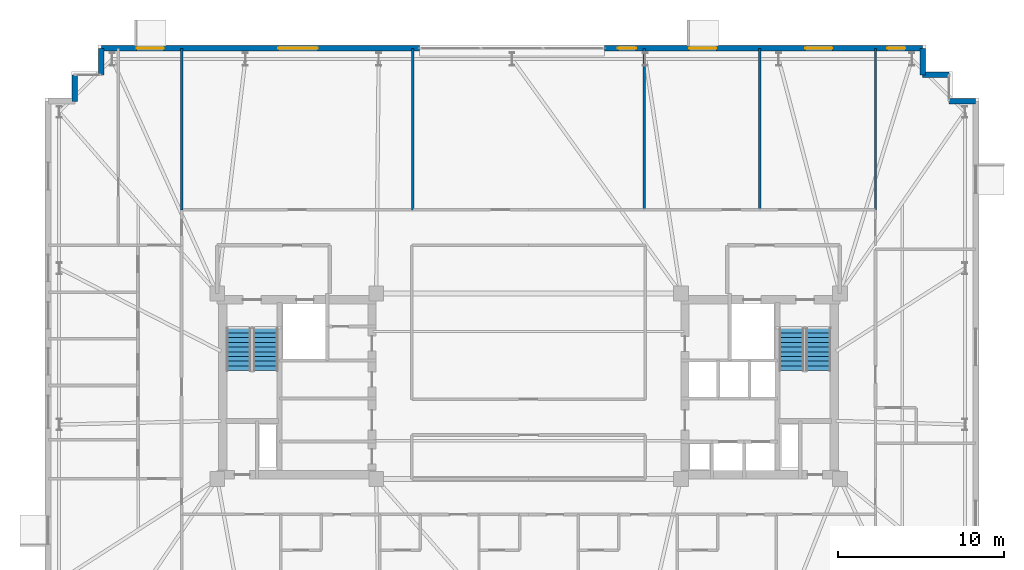
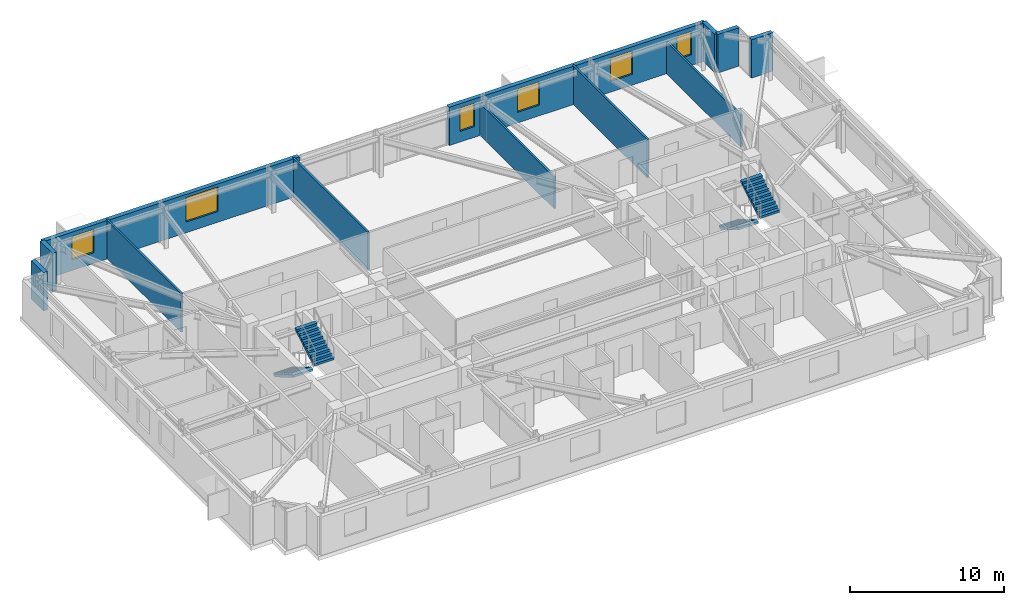
# One storey, part 16 of 18: 12 walls, 6 windows, 4 stair flights, 6 openings, 2 elements without a shape of their own.
"""IFC4 building model written with IfcOpenShell, lengths in metres."""

from ifc_helpers import new_model, si_unit, direction, frame, frame_2d, origin, place, context, subcontext, project, spatial, polyline, rectangle, outline, extrude, material, layer, layer_set, type_object, element, fill, aggregate, save


model = new_model("IFC4")

# Units and contexts
model_context = context("Model", 3, precision=1e-05, world=origin(), true_north=direction((0.0, 1.0)))
body_context = subcontext(model_context, "Body", "Model", "MODEL_VIEW")
ifc_project = project(units=[si_unit("LENGTHUNIT", "METRE"), si_unit("AREAUNIT", "SQUARE_METRE"), si_unit("VOLUMEUNIT", "CUBIC_METRE"), si_unit("PLANEANGLEUNIT", "RADIAN"), si_unit("MASSUNIT", "GRAM", prefix="KILO")], contexts=[model_context])

# Site, building, storey
site_placement = place(None, origin())
site = spatial("IfcSite", under=ifc_project, at=site_placement, CompositionType="ELEMENT")
building_placement = place(site_placement, origin())
building = spatial("IfcBuilding", under=site, at=building_placement, Name="Qobustan Lattice House", CompositionType="ELEMENT")
storey_placement = place(building_placement, frame((0.0, 0.0, 147.75)))
storey = spatial("IfcBuildingStorey", under=building, at=storey_placement, Name="L41", CompositionType="ELEMENT", Elevation=147.75)

# Walls
ifc_material_1 = material(Name="Precast concrete C40/50", Category="concrete")
ifc_layer_1 = layer(ifc_material_1, 0.320068359375)
ifc_layer_set_1 = layer_set([ifc_layer_1], Name="Precast concrete C40/50")
wall_type_1 = type_object("IfcWallType", Name="WAL-EXT-STONE-320", PredefinedType="SOLIDWALL", material=ifc_layer_set_1)
wall_1_placement = place(storey_placement, frame((-27.39990234375, 17.199951171875, 0.0), z_axis=(0.0, 0.0, 1.0), x_axis=(0.0, 1.0, 0.0)))
element("IfcWall", 1, at=wall_1_placement, inside=storey, type_object=wall_type_1, Name="L41 exterior limestone-clad wall 7", PredefinedType="SOLIDWALL", context=body_context, shape_type="SweptSolid", body=[
    extrude(rectangle(XDim=1.60009765625, YDim=0.320068359375, at=frame_2d((0.800048828125, 0.0))), origin(), (0.0, 0.0, 1.0), 3.0400390625),
])
wall_2_placement = place(storey_placement, frame((-25.800048828125, 18.800048828125, 0.0), z_axis=(0.0, 0.0, 1.0), x_axis=(0.0, 1.0, 0.0)))
element("IfcWall", 2, at=wall_2_placement, inside=storey, type_object=wall_type_1, Name="L41 exterior limestone-clad wall 9", PredefinedType="SOLIDWALL", context=body_context, shape_type="SweptSolid", body=[
    extrude(rectangle(XDim=1.599853515625, YDim=0.320068359375, at=frame_2d((0.7998046875, 0.0))), origin(), (0.0, 0.0, 1.0), 3.0400390625),
])

# Wall, openings, windows
wall_3_placement = place(storey_placement, frame((-25.800048828125, 20.39990234375, 0.0), z_axis=(0.0, 0.0, 1.0), x_axis=(1.0, 0.0, 0.0)))
wall_3 = element("IfcWall", 3, at=wall_3_placement, inside=storey, type_object=wall_type_1, Name="L41 iwan flank stone wall A", PredefinedType="SOLIDWALL", context=body_context, shape_type="SweptSolid", body=[
    extrude(rectangle(XDim=19.199951171875, YDim=0.320068359375, at=frame_2d((9.60009765625, 0.0))), origin(), (0.0, 0.0, 1.0), 3.0400390625),
])
opening_1_placement = place(wall_3_placement, frame((2.135009765625, 0.0, 0.85009765625)))
opening_1 = element("IfcOpeningElement", 4, at=opening_1_placement, cuts=wall_3, Name="Opening WN-09", PredefinedType="OPENING", context=body_context, shape_type="SweptSolid", body=[
    extrude(rectangle(XDim=1.64990234375, YDim=1.85009765625, at=frame_2d((0.824951171875, 0.925048828125))), frame((0.0, 0.169921875, 0.0), z_axis=(0.0, -1.0, 0.0), x_axis=(1.0, 0.0, 0.0)), (0.0, 0.0, 1.0), 0.340087890625),
])
opening_2_placement = place(wall_3_placement, frame((10.679931640625, 0.0, 0.85009765625)))
opening_2 = element("IfcOpeningElement", 5, at=opening_2_placement, cuts=wall_3, Name="Opening WN-10", PredefinedType="OPENING", context=body_context, shape_type="SweptSolid", body=[
    extrude(rectangle(XDim=2.39990234375, YDim=1.949951171875, at=frame_2d((1.199951171875, 0.97509765625))), frame((0.0, 0.169921875, 0.0), z_axis=(0.0, -1.0, 0.0), x_axis=(1.0, 0.0, 0.0)), (0.0, 0.0, 1.0), 0.340087890625),
])
ifc_material_2 = material(Name="Double-glazed low-E aluminium window", Category="aluminium")
window_type_1 = type_object("IfcWindowType", Name="WIN-LNG-2400x1950", PartitioningType="SINGLE_PANEL", PredefinedType="WINDOW", material=ifc_material_2)
window_1_placement = place(opening_2_placement, origin())
window_1 = element("IfcWindow", 6, at=window_1_placement, inside=storey, type_object=window_type_1, Name="L41 Walnut iwan sky lounge N1 window", OverallHeight=1.949951171875, OverallWidth=2.39990234375, PartitioningType="SINGLE_PANEL", PredefinedType="WINDOW", context=body_context, shape_type="SweptSolid", body=[
    extrude(rectangle(XDim=2.39990234375, YDim=1.949951171875, at=frame_2d((1.199951171875, 0.97509765625))), frame((0.0, 0.030029296875, 0.0), z_axis=(0.0, -1.0, 0.0), x_axis=(1.0, 0.0, 0.0)), (0.0, 0.0, 1.0), 0.06005859375),
])
fill(opening_2, window_1)
ifc_material_3 = material(Name="Double-glazed low-E aluminium window", Category="aluminium")
window_type_2 = type_object("IfcWindowType", Name="WIN-STU-1650x1850", PartitioningType="SINGLE_PANEL", PredefinedType="WINDOW", material=ifc_material_3)
window_2_placement = place(opening_1_placement, origin())
window_2 = element("IfcWindow", 7, at=window_2_placement, inside=storey, type_object=window_type_2, Name="L41 Reading seminar room L41WN window", OverallHeight=1.85009765625, OverallWidth=1.64990234375, PartitioningType="SINGLE_PANEL", PredefinedType="WINDOW", context=body_context, shape_type="SweptSolid", body=[
    extrude(rectangle(XDim=1.64990234375, YDim=1.85009765625, at=frame_2d((0.824951171875, 0.925048828125))), frame((0.0, 0.030029296875, 0.0), z_axis=(0.0, -1.0, 0.0), x_axis=(1.0, 0.0, 0.0)), (0.0, 0.0, 1.0), 0.06005859375),
])
fill(opening_1, window_2)

wall_4_placement = place(storey_placement, frame((4.60009765625, 20.39990234375, 0.0), z_axis=(0.0, 0.0, 1.0), x_axis=(1.0, 0.0, 0.0)))
wall_4 = element("IfcWall", 8, at=wall_4_placement, inside=storey, type_object=wall_type_1, Name="L41 iwan flank stone wall B", PredefinedType="SOLIDWALL", context=body_context, shape_type="SweptSolid", body=[
    extrude(rectangle(XDim=19.199951171875, YDim=0.320068359375, at=frame_2d((9.60009765625, 0.0))), origin(), (0.0, 0.0, 1.0), 3.0400390625),
])
opening_3_placement = place(wall_4_placement, frame((0.800048828125, 0.0, 0.85009765625)))
opening_3 = element("IfcOpeningElement", 9, at=opening_3_placement, cuts=wall_4, Name="Opening WN-04", PredefinedType="OPENING", context=body_context, shape_type="SweptSolid", body=[
    extrude(rectangle(XDim=1.10009765625, YDim=1.85009765625, at=frame_2d((0.550048828125, 0.925048828125))), frame((0.0, 0.169921875, 0.0), z_axis=(0.0, -1.0, 0.0), x_axis=(1.0, 0.0, 0.0)), (0.0, 0.0, 1.0), 0.340087890625),
])
opening_4_placement = place(wall_4_placement, frame((5.094970703125, 0.0, 0.85009765625)))
opening_4 = element("IfcOpeningElement", 10, at=opening_4_placement, cuts=wall_4, Name="Opening WN-09", PredefinedType="OPENING", context=body_context, shape_type="SweptSolid", body=[
    extrude(rectangle(XDim=1.64990234375, YDim=1.85009765625, at=frame_2d((0.824951171875, 0.925048828125))), frame((0.0, 0.169921875, 0.0), z_axis=(0.0, -1.0, 0.0), x_axis=(1.0, 0.0, 0.0)), (0.0, 0.0, 1.0), 0.340087890625),
])
opening_5_placement = place(wall_4_placement, frame((12.094970703125, 0.0, 0.85009765625)))
opening_5 = element("IfcOpeningElement", 11, at=opening_5_placement, cuts=wall_4, Name="Opening WN-09", PredefinedType="OPENING", context=body_context, shape_type="SweptSolid", body=[
    extrude(rectangle(XDim=1.64990234375, YDim=1.85009765625, at=frame_2d((0.824951171875, 0.925048828125))), frame((0.0, 0.169921875, 0.0), z_axis=(0.0, -1.0, 0.0), x_axis=(1.0, 0.0, 0.0)), (0.0, 0.0, 1.0), 0.340087890625),
])
opening_6_placement = place(wall_4_placement, frame((17.050048828125, 0.0, 0.85009765625)))
opening_6 = element("IfcOpeningElement", 12, at=opening_6_placement, cuts=wall_4, Name="Opening WN-04", PredefinedType="OPENING", context=body_context, shape_type="SweptSolid", body=[
    extrude(rectangle(XDim=1.10009765625, YDim=1.85009765625, at=frame_2d((0.550048828125, 0.925048828125))), frame((0.0, 0.169921875, 0.0), z_axis=(0.0, -1.0, 0.0), x_axis=(1.0, 0.0, 0.0)), (0.0, 0.0, 1.0), 0.340087890625),
])
ifc_material_4 = material(Name="Double-glazed low-E aluminium window", Category="aluminium")
window_type_3 = type_object("IfcWindowType", Name="WIN-NAR-1100x1850", PartitioningType="SINGLE_PANEL", PredefinedType="WINDOW", material=ifc_material_4)
window_3_placement = place(opening_3_placement, origin())
window_3 = element("IfcWindow", 13, at=window_3_placement, inside=storey, type_object=window_type_3, Name="L41 Walnut iwan sky lounge N2 window", OverallHeight=1.85009765625, OverallWidth=1.10009765625, PartitioningType="SINGLE_PANEL", PredefinedType="WINDOW", context=body_context, shape_type="SweptSolid", body=[
    extrude(rectangle(XDim=1.10009765625, YDim=1.85009765625, at=frame_2d((0.550048828125, 0.925048828125))), frame((0.0, 0.030029296875, 0.0), z_axis=(0.0, -1.0, 0.0), x_axis=(1.0, 0.0, 0.0)), (0.0, 0.0, 1.0), 0.06005859375),
])
fill(opening_3, window_3)
window_4_placement = place(opening_6_placement, origin())
window_4 = element("IfcWindow", 14, at=window_4_placement, inside=storey, type_object=window_type_3, Name="L41 Focus study room E3 window", OverallHeight=1.85009765625, OverallWidth=1.10009765625, PartitioningType="SINGLE_PANEL", PredefinedType="WINDOW", context=body_context, shape_type="SweptSolid", body=[
    extrude(rectangle(XDim=1.10009765625, YDim=1.85009765625, at=frame_2d((0.550048828125, 0.925048828125))), frame((0.0, 0.030029296875, 0.0), z_axis=(0.0, -1.0, 0.0), x_axis=(1.0, 0.0, 0.0)), (0.0, 0.0, 1.0), 0.06005859375),
])
fill(opening_6, window_4)
window_5_placement = place(opening_4_placement, origin())
window_5 = element("IfcWindow", 15, at=window_5_placement, inside=storey, type_object=window_type_2, Name="L41 Focus study room N3A window", OverallHeight=1.85009765625, OverallWidth=1.64990234375, PartitioningType="SINGLE_PANEL", PredefinedType="WINDOW", context=body_context, shape_type="SweptSolid", body=[
    extrude(rectangle(XDim=1.64990234375, YDim=1.85009765625, at=frame_2d((0.824951171875, 0.925048828125))), frame((0.0, 0.030029296875, 0.0), z_axis=(0.0, -1.0, 0.0), x_axis=(1.0, 0.0, 0.0)), (0.0, 0.0, 1.0), 0.06005859375),
])
fill(opening_4, window_5)
window_6_placement = place(opening_5_placement, origin())
window_6 = element("IfcWindow", 16, at=window_6_placement, inside=storey, type_object=window_type_2, Name="L41 Focus study room N3B window", OverallHeight=1.85009765625, OverallWidth=1.64990234375, PartitioningType="SINGLE_PANEL", PredefinedType="WINDOW", context=body_context, shape_type="SweptSolid", body=[
    extrude(rectangle(XDim=1.64990234375, YDim=1.85009765625, at=frame_2d((0.824951171875, 0.925048828125))), frame((0.0, 0.030029296875, 0.0), z_axis=(0.0, -1.0, 0.0), x_axis=(1.0, 0.0, 0.0)), (0.0, 0.0, 1.0), 0.06005859375),
])
fill(opening_5, window_6)

# Walls
for number, where, z_axis, x_axis, name in (
    (17, (23.800048828125, 20.39990234375, 0.0), (0.0, 0.0, 1.0), (0.0, -1.0, 0.0), "L41 exterior limestone-clad wall 11"),
    (18, (23.800048828125, 18.800048828125, 0.0), (0.0, 0.0, 1.0), (1.0, 0.0, 0.0), "L41 exterior limestone-clad wall 12"),
):
    element("IfcWall", number, at=place(storey_placement, frame(where, z_axis=z_axis, x_axis=x_axis)), inside=storey, type_object=wall_type_1, Name=name, PredefinedType="SOLIDWALL", context=body_context, shape_type="SweptSolid", body=[
        extrude(rectangle(XDim=1.599853515625, YDim=0.320068359375, at=frame_2d((0.7998046875, 0.0))), origin(), (0.0, 0.0, 1.0), 3.0400390625),
    ])
wall_5_placement = place(storey_placement, frame((25.39990234375, 17.199951171875, 0.0), z_axis=(0.0, 0.0, 1.0), x_axis=(1.0, 0.0, 0.0)))
element("IfcWall", 19, at=wall_5_placement, inside=storey, type_object=wall_type_1, Name="L41 exterior limestone-clad wall 14", PredefinedType="SOLIDWALL", context=body_context, shape_type="SweptSolid", body=[
    extrude(rectangle(XDim=1.60009765625, YDim=0.320068359375, at=frame_2d((0.800048828125, 0.0))), origin(), (0.0, 0.0, 1.0), 3.0400390625),
])
ifc_material_5 = material(Name="Acoustic twin-stud gypsum partition", Category="gypsum")
ifc_layer_2 = layer(ifc_material_5, 0.14990234375)
ifc_layer_set_2 = layer_set([ifc_layer_2], Name="Acoustic twin-stud gypsum partition")
wall_type_2 = type_object("IfcWallType", Name="WAL-PART-150", PredefinedType="PARTITIONING", material=ifc_layer_set_2)
wall_6_placement = place(storey_placement, frame((-20.949951171875, 20.39990234375, 0.0), z_axis=(0.0, 0.0, 1.0), x_axis=(0.0, -1.0, 0.0)))
element("IfcWall", 20, at=wall_6_placement, inside=storey, type_object=wall_type_2, Name="L41 interior partition 77", PredefinedType="PARTITIONING", context=body_context, shape_type="SweptSolid", body=[
    extrude(rectangle(XDim=9.75, YDim=0.14990234375, at=frame_2d((4.875, 0.0))), origin(), (0.0, 0.0, 1.0), 3.0400390625),
])
wall_7_placement = place(storey_placement, frame((20.949951171875, 10.64990234375, 0.0), z_axis=(0.0, 0.0, 1.0), x_axis=(0.0, 1.0, 0.0)))
element("IfcWall", 21, at=wall_7_placement, inside=storey, type_object=wall_type_2, Name="L41 interior partition 91", PredefinedType="PARTITIONING", context=body_context, shape_type="SweptSolid", body=[
    extrude(rectangle(XDim=9.75, YDim=0.14990234375, at=frame_2d((4.875, 0.0))), origin(), (0.0, 0.0, 1.0), 2.52490234375),
])
wall_8_placement = place(storey_placement, frame((-6.98291015625, 20.39990234375, 0.0), z_axis=(0.0, 0.0, 1.0), x_axis=(0.0, -1.0, 0.0)))
element("IfcWall", 22, at=wall_8_placement, inside=storey, type_object=wall_type_2, Name="L41 interior partition 92", PredefinedType="PARTITIONING", context=body_context, shape_type="SweptSolid", body=[
    extrude(rectangle(XDim=9.75, YDim=0.14990234375, at=frame_2d((4.875, 0.0))), origin(), (0.0, 0.0, 1.0), 3.0400390625),
])
wall_9_placement = place(storey_placement, frame((6.98291015625, 20.39990234375, 0.0), z_axis=(0.0, 0.0, 1.0), x_axis=(0.0, -1.0, 0.0)))
element("IfcWall", 23, at=wall_9_placement, inside=storey, type_object=wall_type_2, Name="L41 interior partition 93", PredefinedType="PARTITIONING", context=body_context, shape_type="SweptSolid", body=[
    extrude(rectangle(XDim=9.75, YDim=0.14990234375, at=frame_2d((4.875, 0.0))), origin(), (0.0, 0.0, 1.0), 2.52490234375),
])
wall_10_placement = place(storey_placement, frame((13.966552734375, 20.39990234375, 0.0), z_axis=(0.0, 0.0, 1.0), x_axis=(0.0, -1.0, 0.0)))
element("IfcWall", 24, at=wall_10_placement, inside=storey, type_object=wall_type_2, Name="L41 interior partition 94", PredefinedType="PARTITIONING", context=body_context, shape_type="SweptSolid", body=[
    extrude(rectangle(XDim=9.75, YDim=0.14990234375, at=frame_2d((4.875, 0.0))), origin(), (0.0, 0.0, 1.0), 3.0400390625),
])

# Stair, stair flights
ifc_material_6 = material(Name="Concrete C40/50", Category="concrete")
stair_type = type_object("IfcStairType", Name="STR-CORE-DOGLEG", PredefinedType="HALF_TURN_STAIR", material=ifc_material_6)
stair_1_placement = place(storey_placement, origin())
stair_1 = element("IfcStair", 25, at=stair_1_placement, inside=storey, type_object=stair_type, Name="L41 West protected exit stair ST-W1", PredefinedType="HALF_TURN_STAIR")
ifc_material_7 = material(Name="Concrete C40/50", Category="concrete")
stair_flight_type = type_object("IfcStairFlightType", Name="SFL-RC-1500", PredefinedType="STRAIGHT", material=ifc_material_7)
stair_flight_1_placement = place(storey_placement, frame((-17.5, 3.5, 0.0), z_axis=(0.0, 0.0, 1.0), x_axis=(0.0, -1.0, 0.0)))
stair_flight_1 = element("IfcStairFlight", 26, at=stair_flight_1_placement, type_object=stair_flight_type, Name="ST-W1 flight 1", NumberOfRisers=10, NumberOfTreads=9, PredefinedType="STRAIGHT", RiserHeight=0.1675, TreadLength=0.285, context=body_context, shape_type="SweptSolid", body=[
    extrude(outline(polyline([(0.0, 0.0), (0.0, 0.16748046875), (0.284912109375, 0.16748046875), (0.284912109375, 0.3349609375), (0.570068359375, 0.3349609375), (0.570068359375, 0.50244140625), (0.85498046875, 0.50244140625), (0.85498046875, 0.669921875), (1.139892578125, 0.669921875), (1.139892578125, 0.83740234375), (1.425048828125, 0.83740234375), (1.425048828125, 1.0048828125), (1.7099609375, 1.0048828125), (1.7099609375, 1.172607421875), (1.9951171875, 1.172607421875), (1.9951171875, 1.340087890625), (2.280029296875, 1.340087890625), (2.280029296875, 1.507568359375), (2.56494140625, 1.507568359375), (2.56494140625, 1.675048828125), (2.56494140625, 1.333740234375), (0.2958984375, 0.0), (0.0, 0.0)])), frame((0.0, 0.75, 0.0), z_axis=(0.0, -1.0, 0.0), x_axis=(1.0, 0.0, 0.0)), (0.0, 0.0, 1.0), 1.5),
])
stair_flight_2_placement = place(storey_placement, frame((-15.8798828125, 0.93505859375, 1.675048828125), z_axis=(0.0, 0.0, 1.0), x_axis=(0.0, 1.0, 0.0)))
stair_flight_2 = element("IfcStairFlight", 27, at=stair_flight_2_placement, type_object=stair_flight_type, Name="ST-W1 flight 2", NumberOfRisers=10, NumberOfTreads=9, PredefinedType="STRAIGHT", RiserHeight=0.1675, TreadLength=0.285, context=body_context, shape_type="SweptSolid", body=[
    extrude(outline(polyline([(0.0, 0.0), (0.0, 0.16748046875), (0.284912109375, 0.16748046875), (0.284912109375, 0.3349609375), (0.570068359375, 0.3349609375), (0.570068359375, 0.50244140625), (0.85498046875, 0.50244140625), (0.85498046875, 0.669921875), (1.139892578125, 0.669921875), (1.139892578125, 0.83740234375), (1.425048828125, 0.83740234375), (1.425048828125, 1.0048828125), (1.7099609375, 1.0048828125), (1.7099609375, 1.172607421875), (1.9951171875, 1.172607421875), (1.9951171875, 1.340087890625), (2.280029296875, 1.340087890625), (2.280029296875, 1.507568359375), (2.56494140625, 1.507568359375), (2.56494140625, 1.675048828125), (2.56494140625, 1.333740234375), (0.2958984375, 0.0), (0.0, 0.0)])), frame((0.0, 0.75, 0.0), z_axis=(0.0, -1.0, 0.0), x_axis=(1.0, 0.0, 0.0)), (0.0, 0.0, 1.0), 1.5),
])
aggregate(stair_1, [stair_flight_1, stair_flight_2])

stair_2_placement = place(storey_placement, origin())
stair_2 = element("IfcStair", 28, at=stair_2_placement, inside=storey, type_object=stair_type, Name="L41 East protected exit stair ST-E1", PredefinedType="HALF_TURN_STAIR")
stair_flight_3_placement = place(storey_placement, frame((15.8798828125, 3.5, 0.0), z_axis=(0.0, 0.0, 1.0), x_axis=(0.0, -1.0, 0.0)))
stair_flight_3 = element("IfcStairFlight", 29, at=stair_flight_3_placement, type_object=stair_flight_type, Name="ST-E1 flight 1", NumberOfRisers=10, NumberOfTreads=9, PredefinedType="STRAIGHT", RiserHeight=0.1675, TreadLength=0.285, context=body_context, shape_type="SweptSolid", body=[
    extrude(outline(polyline([(0.0, 0.0), (0.0, 0.16748046875), (0.284912109375, 0.16748046875), (0.284912109375, 0.3349609375), (0.570068359375, 0.3349609375), (0.570068359375, 0.50244140625), (0.85498046875, 0.50244140625), (0.85498046875, 0.669921875), (1.139892578125, 0.669921875), (1.139892578125, 0.83740234375), (1.425048828125, 0.83740234375), (1.425048828125, 1.0048828125), (1.7099609375, 1.0048828125), (1.7099609375, 1.172607421875), (1.9951171875, 1.172607421875), (1.9951171875, 1.340087890625), (2.280029296875, 1.340087890625), (2.280029296875, 1.507568359375), (2.56494140625, 1.507568359375), (2.56494140625, 1.675048828125), (2.56494140625, 1.333740234375), (0.2958984375, 0.0), (0.0, 0.0)])), frame((0.0, 0.75, 0.0), z_axis=(0.0, -1.0, 0.0), x_axis=(1.0, 0.0, 0.0)), (0.0, 0.0, 1.0), 1.5),
])
stair_flight_4_placement = place(storey_placement, frame((17.5, 0.93505859375, 1.675048828125), z_axis=(0.0, 0.0, 1.0), x_axis=(0.0, 1.0, 0.0)))
stair_flight_4 = element("IfcStairFlight", 30, at=stair_flight_4_placement, type_object=stair_flight_type, Name="ST-E1 flight 2", NumberOfRisers=10, NumberOfTreads=9, PredefinedType="STRAIGHT", RiserHeight=0.1675, TreadLength=0.285, context=body_context, shape_type="SweptSolid", body=[
    extrude(outline(polyline([(0.0, 0.0), (0.0, 0.16748046875), (0.284912109375, 0.16748046875), (0.284912109375, 0.3349609375), (0.570068359375, 0.3349609375), (0.570068359375, 0.50244140625), (0.85498046875, 0.50244140625), (0.85498046875, 0.669921875), (1.139892578125, 0.669921875), (1.139892578125, 0.83740234375), (1.425048828125, 0.83740234375), (1.425048828125, 1.0048828125), (1.7099609375, 1.0048828125), (1.7099609375, 1.172607421875), (1.9951171875, 1.172607421875), (1.9951171875, 1.340087890625), (2.280029296875, 1.340087890625), (2.280029296875, 1.507568359375), (2.56494140625, 1.507568359375), (2.56494140625, 1.675048828125), (2.56494140625, 1.333740234375), (0.2958984375, 0.0), (0.0, 0.0)])), frame((0.0, 0.75, 0.0), z_axis=(0.0, -1.0, 0.0), x_axis=(1.0, 0.0, 0.0)), (0.0, 0.0, 1.0), 1.5),
])
aggregate(stair_2, [stair_flight_3, stair_flight_4])

save(model, "model.ifc")
